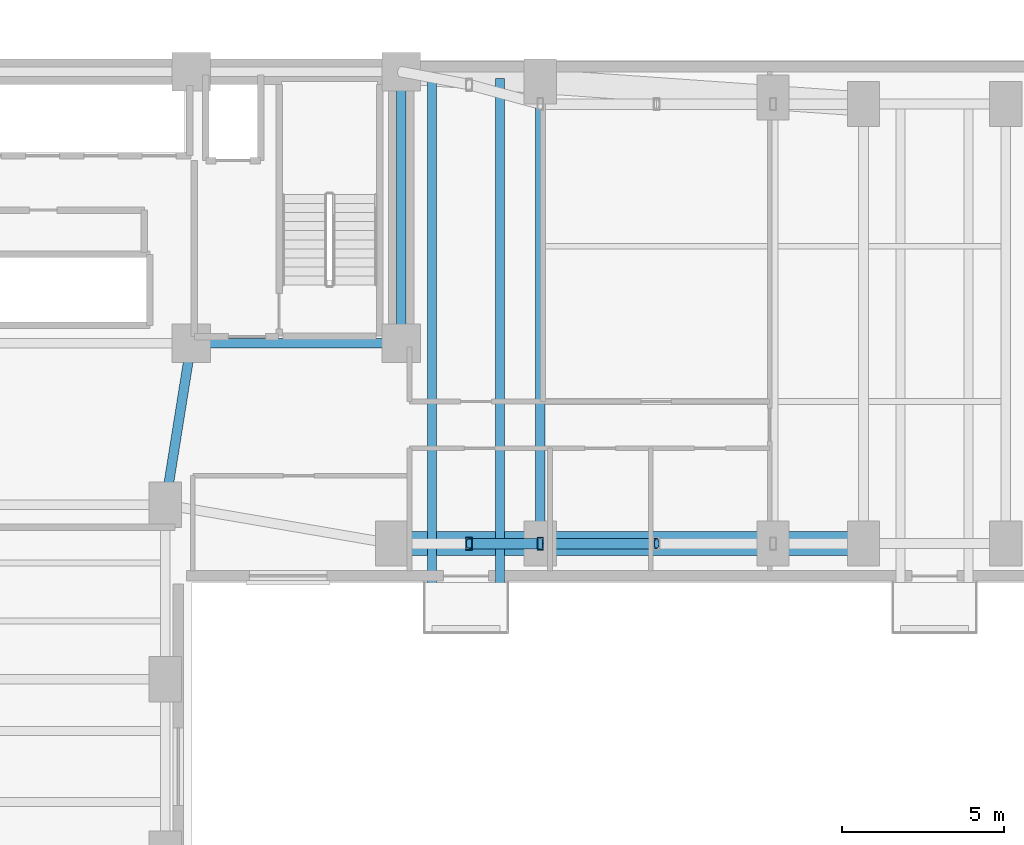
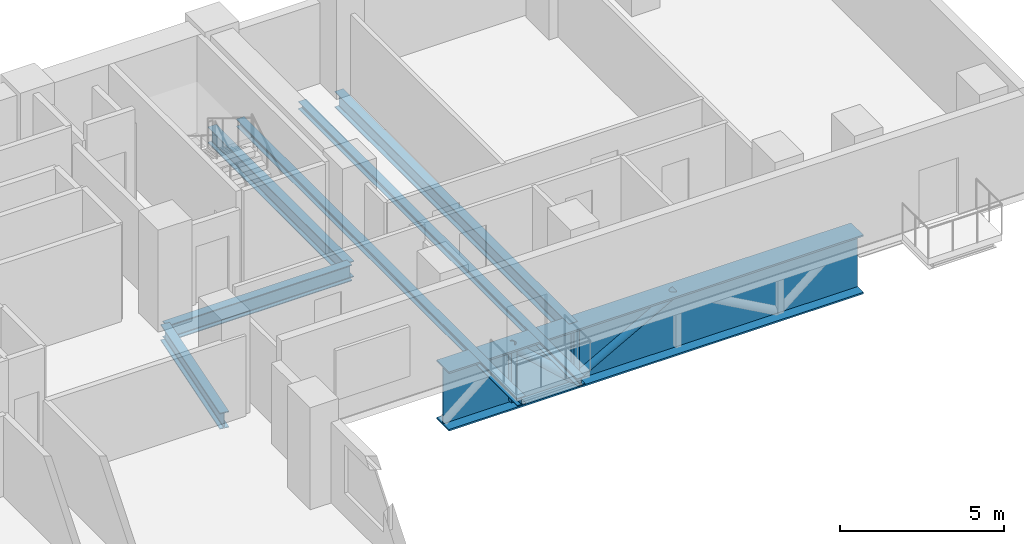
# One storey, part 2 of 15: 7 beams, 4 members.
"""IFC4 building model written with IfcOpenShell, lengths in metres."""

from ifc_helpers import new_model, si_unit, direction, frame, origin, origin_2d, place, context, subcontext, project, spatial, hollow_rectangle, hollow_circle, i_section, extrude, material, material_profile, profile_set, type_object, element, save


model = new_model("IFC4")

# Units and contexts
model_context = context("Model", 3, precision=1e-05, world=origin(), true_north=direction((0.0, 1.0)))
body_context = subcontext(model_context, "Body", "Model", "MODEL_VIEW")
ifc_project = project(units=[si_unit("LENGTHUNIT", "METRE"), si_unit("AREAUNIT", "SQUARE_METRE"), si_unit("VOLUMEUNIT", "CUBIC_METRE"), si_unit("PLANEANGLEUNIT", "RADIAN"), si_unit("MASSUNIT", "GRAM", prefix="KILO")], contexts=[model_context])

# Site, building, storey
site_placement = place(None, origin())
site = spatial("IfcSite", under=ifc_project, at=site_placement, CompositionType="ELEMENT")
building_placement = place(site_placement, origin())
building = spatial("IfcBuilding", under=site, at=building_placement, Name="Kuzgunbayir Cultural Tower", CompositionType="ELEMENT")
storey_placement = place(building_placement, frame((0.0, 0.0, 39.800048828125)))
storey = spatial("IfcBuildingStorey", under=building, at=storey_placement, Name="L10", CompositionType="ELEMENT", Elevation=39.800048828125)

# Beams
ifc_material_1 = material(Name="Steel S355J2", Category="steel")
ifc_material_profile_1 = material_profile(ifc_material_1, i_section(OverallWidth=0.280029296875, OverallDepth=0.280029296875, WebThickness=0.010498046875, FlangeThickness=0.01806640625, FilletRadius=0.02392578125, at=origin_2d()), Name="HEB 280")
ifc_profile_set_1 = profile_set([ifc_material_profile_1], Name="Steel S355J2")
beam_type_1 = type_object("IfcBeamType", Name="BM-BAL-HEB280", PredefinedType="BEAM", material=ifc_profile_set_1)
beam_1_placement = place(storey_placement, frame((27.85009765625, 24.9599609375, -0.380126953125), z_axis=(0.0, 1.0, 0.0), x_axis=(-1.0, 0.0, 0.0)))
element("IfcBeam", 1, at=beam_1_placement, inside=storey, type_object=beam_type_1, Name="L10 Balcony Outrigger Beam BAL-L10-WB1.1", PredefinedType="BEAM", context=body_context, shape_type="SweptSolid", body=[
    extrude(i_section(OverallWidth=0.280029296875, OverallDepth=0.280029296875, WebThickness=0.010498046875, FlangeThickness=0.01806640625, FilletRadius=0.02392578125, at=origin_2d()), origin(), (0.0, 0.0, 1.0), 17.169921875),
])
beam_2_placement = place(storey_placement, frame((29.949951171875, 24.9599609375, -0.380126953125), z_axis=(0.0, 1.0, 0.0), x_axis=(-1.0, 0.0, 0.0)))
element("IfcBeam", 2, at=beam_2_placement, inside=storey, type_object=beam_type_1, Name="L10 Balcony Outrigger Beam BAL-L10-WB1.2", PredefinedType="BEAM", context=body_context, shape_type="SweptSolid", body=[
    extrude(i_section(OverallWidth=0.280029296875, OverallDepth=0.280029296875, WebThickness=0.010498046875, FlangeThickness=0.01806640625, FilletRadius=0.02392578125, at=origin_2d()), origin(), (0.0, 0.0, 1.0), 17.030029296875),
])
ifc_material_profile_2 = material_profile(ifc_material_1, i_section(OverallWidth=0.300048828125, OverallDepth=0.60009765625, WebThickness=0.015380859375, FlangeThickness=0.030029296875, FilletRadius=0.027099609375, at=origin_2d()), Name="HEB 600")
ifc_profile_set_2 = profile_set([ifc_material_profile_2], Name="Steel S355J2")
beam_type_2 = type_object("IfcBeamType", Name="BM-GIR-HEB600", PredefinedType="BEAM", material=ifc_profile_set_2)
beam_3_placement = place(storey_placement, frame((20.39990234375, 33.800048828125, -0.5400390625), z_axis=(1.0, 0.0, 0.0), x_axis=(0.0, 1.0, 0.0)))
element("IfcBeam", 3, at=beam_3_placement, inside=storey, type_object=beam_type_2, Name="L10 Core South Girder 3", PredefinedType="BEAM", context=body_context, shape_type="SweptSolid", body=[
    extrude(i_section(OverallWidth=0.300048828125, OverallDepth=0.60009765625, WebThickness=0.015380859375, FlangeThickness=0.030029296875, FilletRadius=0.027099609375, at=origin_2d()), origin(), (0.0, 0.0, 1.0), 6.5),
])
beam_4_placement = place(storey_placement, frame((26.89990234375, 33.800048828125, -0.5400390625), z_axis=(0.0, 1.0, 0.0), x_axis=(-1.0, 0.0, 0.0)))
element("IfcBeam", 4, at=beam_4_placement, inside=storey, type_object=beam_type_2, Name="L10 Core East Edge Girder", PredefinedType="BEAM", context=body_context, shape_type="SweptSolid", body=[
    extrude(i_section(OverallWidth=0.300048828125, OverallDepth=0.60009765625, WebThickness=0.015380859375, FlangeThickness=0.030029296875, FilletRadius=0.027099609375, at=origin_2d()), origin(), (0.0, 0.0, 1.0), 8.39990234375),
])
beam_5_placement = place(storey_placement, frame((19.60009765625, 28.800048828125, -0.5400390625), z_axis=(0.157952891656, 0.987446648694, 0.0), x_axis=(-0.987446648694, 0.157952891656, 0.0)))
element("IfcBeam", 5, at=beam_5_placement, inside=storey, type_object=beam_type_2, Name="L10 Wing A East Core Floor Girder", PredefinedType="BEAM", context=body_context, shape_type="SweptSolid", body=[
    extrude(i_section(OverallWidth=0.300048828125, OverallDepth=0.60009765625, WebThickness=0.015380859375, FlangeThickness=0.030029296875, FilletRadius=0.027099609375, at=origin_2d()), origin(), (0.0, 0.0, 1.0), 5.0634765625),
])
beam_6_placement = place(storey_placement, frame((31.199951171875, 27.60009765625, -0.5400390625), z_axis=(0.0, 1.0, 0.0), x_axis=(-1.0, 0.0, 0.0)))
element("IfcBeam", 6, at=beam_6_placement, inside=storey, type_object=beam_type_2, Name="L10 Wing B Cross Girder 31", PredefinedType="BEAM", context=body_context, shape_type="SweptSolid", body=[
    extrude(i_section(OverallWidth=0.300048828125, OverallDepth=0.60009765625, WebThickness=0.015380859375, FlangeThickness=0.030029296875, FilletRadius=0.027099609375, at=origin_2d()), origin(), (0.0, 0.0, 1.0), 14.2998046875),
])
ifc_material_2 = material(Name="Steel S460M", Category="steel")
ifc_material_profile_3 = material_profile(ifc_material_2, i_section(OverallWidth=0.75, OverallDepth=2.199951171875, WebThickness=0.0400390625, FlangeThickness=0.06005859375, at=origin_2d()), Name="PG 2200x750x40x60")
ifc_profile_set_3 = profile_set([ifc_material_profile_3], Name="Steel S460M")
beam_type_3 = type_object("IfcBeamType", Name="BM-TR-PG2200", PredefinedType="BEAM", material=ifc_profile_set_3)
beam_7_placement = place(storey_placement, frame((26.60009765625, 27.60009765625, -1.340087890625), z_axis=(1.0, 0.0, 0.0), x_axis=(0.0, 1.0, 0.0)))
element("IfcBeam", 7, at=beam_7_placement, inside=storey, type_object=beam_type_3, Name="L10 Void-Portal South Transfer Girder", PredefinedType="BEAM", context=body_context, shape_type="SweptSolid", body=[
    extrude(i_section(OverallWidth=0.75, OverallDepth=2.199951171875, WebThickness=0.0400390625, FlangeThickness=0.06005859375, at=origin_2d()), origin(), (0.0, 0.0, 1.0), 14.599853515625),
])

# Members
ifc_material_profile_4 = material_profile(ifc_material_2, hollow_circle(Radius=0.161865234375, WallThickness=0.01611328125, at=origin_2d()), Name="CHS 323.9x16")
ifc_profile_set_4 = profile_set([ifc_material_profile_4], Name="Steel S460M")
member_type_1 = type_object("IfcMemberType", Name="MEM-PRT-CHS324", PredefinedType="BRACE", material=ifc_profile_set_4)
member_1_placement = place(storey_placement, frame((29.0, 27.60009765625, -0.300048828125), z_axis=(0.739932642186, 0.0, -0.672680968237), x_axis=(0.0, 1.0, 0.0)))
element("IfcMember", 8, at=member_1_placement, inside=storey, type_object=member_type_1, Name="L10 Void-Portal Bridge Truss Diagonal 2", PredefinedType="BRACE", context=body_context, shape_type="SweptSolid", body=[
    extrude(hollow_circle(Radius=0.161865234375, WallThickness=0.01611328125, at=origin_2d()), origin(), (0.0, 0.0, 1.0), 2.97314453125),
])
member_2_placement = place(storey_placement, frame((31.199951171875, 27.60009765625, -2.300048828125), z_axis=(0.874162868644, 0.0, 0.485632864501), x_axis=(0.0, 1.0, 0.0)))
element("IfcMember", 9, at=member_2_placement, inside=storey, type_object=member_type_1, Name="L10 Void-Portal Bridge Truss Diagonal 3", PredefinedType="BRACE", context=body_context, shape_type="SweptSolid", body=[
    extrude(hollow_circle(Radius=0.161865234375, WallThickness=0.01611328125, at=origin_2d()), origin(), (0.0, 0.0, 1.0), 4.118408203125),
])
ifc_material_profile_5 = material_profile(ifc_material_2, hollow_rectangle(XDim=0.199951171875, YDim=0.39990234375, WallThickness=0.01611328125, at=origin_2d()), Name="RHS 400x200x16")
ifc_profile_set_5 = profile_set([ifc_material_profile_5], Name="Steel S460M")
member_type_2 = type_object("IfcMemberType", Name="MEM-STR-RHS400", PredefinedType="STRUT", material=ifc_profile_set_5)
for number, where, z_axis, x_axis, name in (
    (10, (29.0, 27.60009765625, -2.300048828125), (0.0, 0.0, 1.0), (1.0, 0.0, 0.0), "L10 Portal Truss Vertical Web 29"),
    (11, (31.199951171875, 27.60009765625, -2.300048828125), (0.0, 0.0, 1.0), (1.0, 0.0, 0.0), "L10 Portal Truss Vertical Web 31"),
):
    element("IfcMember", number, at=place(storey_placement, frame(where, z_axis=z_axis, x_axis=x_axis)), inside=storey, type_object=member_type_2, Name=name, PredefinedType="STRUT", context=body_context, shape_type="SweptSolid", body=[
        extrude(hollow_rectangle(XDim=0.199951171875, YDim=0.39990234375, WallThickness=0.01611328125, at=origin_2d()), origin(), (0.0, 0.0, 1.0), 2.0),
    ])

save(model, "model.ifc")
